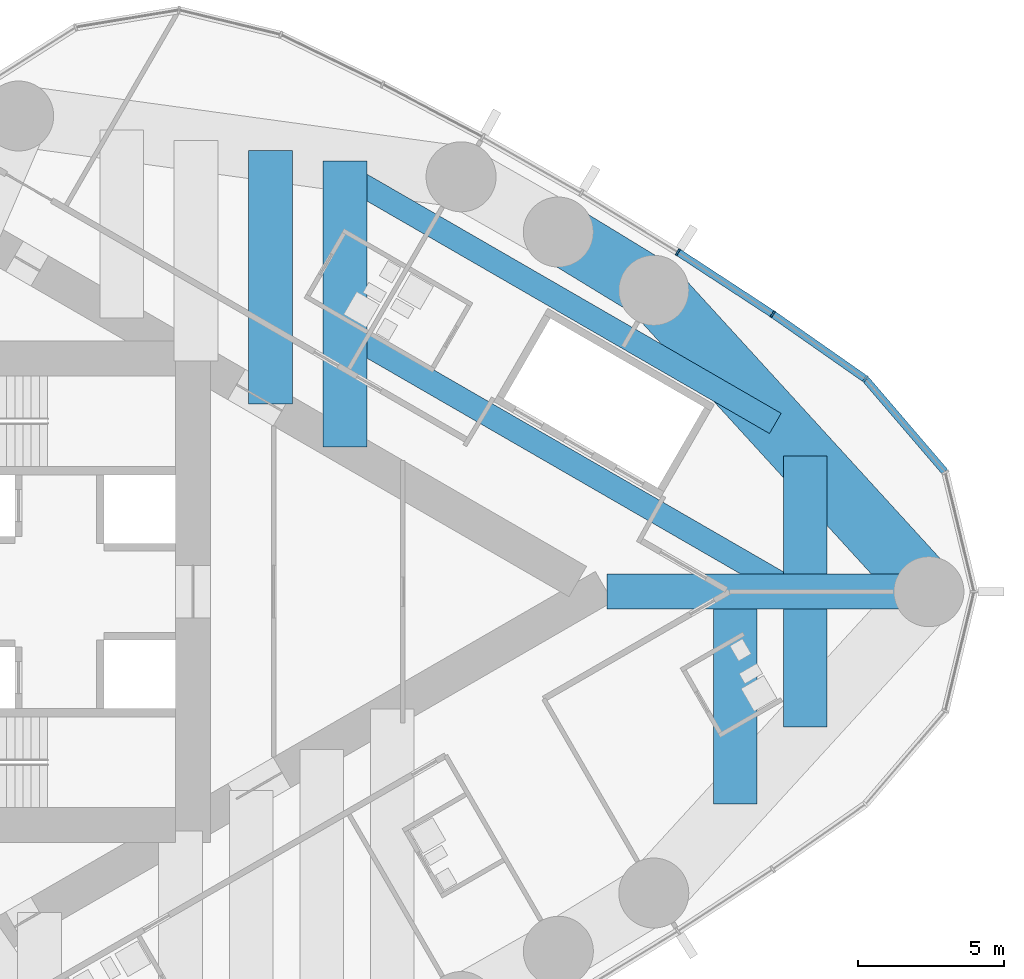
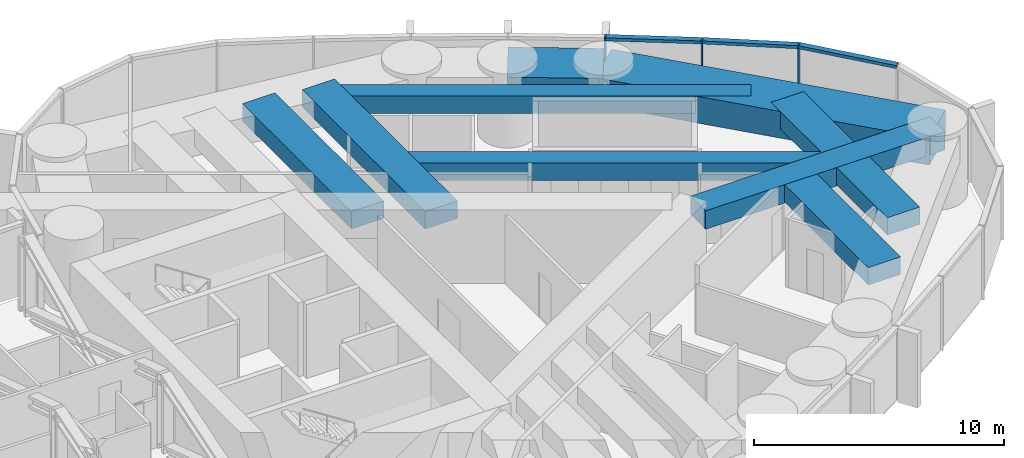
# One storey, part 9 of 22: 10 beams, 6 members, 1 element without a shape of its own.
"""IFC4 building model written with IfcOpenShell, lengths in metres."""

from ifc_helpers import new_model, si_unit, direction, frame, origin, origin_2d, place, context, subcontext, project, spatial, rectangle, hollow_rectangle, extrude, material, material_profile, profile_set, type_object, element, aggregate, save


model = new_model("IFC4")

# Units and contexts
model_context = context("Model", 3, precision=1e-05, world=origin(), true_north=direction((0.0, 1.0)))
body_context = subcontext(model_context, "Body", "Model", "MODEL_VIEW")
ifc_project = project(units=[si_unit("LENGTHUNIT", "METRE"), si_unit("AREAUNIT", "SQUARE_METRE"), si_unit("VOLUMEUNIT", "CUBIC_METRE"), si_unit("PLANEANGLEUNIT", "RADIAN"), si_unit("MASSUNIT", "GRAM", prefix="KILO")], contexts=[model_context])

# Site, building, storey
site_placement = place(None, origin())
site = spatial("IfcSite", under=ifc_project, at=site_placement, CompositionType="ELEMENT")
building_placement = place(site_placement, origin())
building = spatial("IfcBuilding", under=site, at=building_placement, Name="Lancet Gate Hotel", CompositionType="ELEMENT")
storey_placement = place(building_placement, frame((0.0, 0.0, 229.699951171875)))
storey = spatial("IfcBuildingStorey", under=building, at=storey_placement, Name="L61", CompositionType="ELEMENT", Elevation=229.699951171875)

# Curtain wall, members
ifc_material_1 = material(Name="Aluminium curtain wall", Category="aluminium")
curtain_wall_type = type_object("IfcCurtainWallType", Name="Tower unitised curtain wall", PredefinedType="USERDEFINED", material=ifc_material_1)
curtain_wall_placement = place(storey_placement, origin())
curtain_wall = element("IfcCurtainWall", 1, at=curtain_wall_placement, inside=storey, type_object=curtain_wall_type, Name="T2 L61 curtain wall 1", ObjectType="UNITISED CURTAIN WALL", PredefinedType="USERDEFINED")
ifc_material_2 = material(Name="Aluminium mullion", Category="aluminium")
ifc_material_profile_1 = material_profile(ifc_material_2, rectangle(XDim=0.06494140625, YDim=0.25, at=origin_2d()), Name="MULLION 65x250")
ifc_profile_set_1 = profile_set([ifc_material_profile_1], Name="Aluminium mullion")
member_type_1 = type_object("IfcMemberType", Name="Aluminium mullion 65x250", PredefinedType="MULLION", material=ifc_profile_set_1)
member_1_placement = place(storey_placement, frame((60.367431640625, 7.291259765625, 0.0), z_axis=(0.0, 0.0, 1.0), x_axis=(-0.737323173512, 0.675540182226, 0.0)))
member_1 = element("IfcMember", 2, at=member_1_placement, type_object=member_type_1, Name="T2 L61 curtain wall 1 mullion 16", PredefinedType="MULLION", context=body_context, shape_type="SweptSolid", body=[
    extrude(rectangle(XDim=0.06494140625, YDim=0.25, at=origin_2d()), origin(), (0.0, 0.0, 1.0), 3.60009765625),
])
member_2_placement = place(storey_placement, frame((57.185791015625, 9.518310546875, 0.0), z_axis=(0.0, 0.0, 1.0), x_axis=(-0.828154697184, 0.560499596371, 0.0)))
member_2 = element("IfcMember", 3, at=member_2_placement, type_object=member_type_1, Name="T2 L61 curtain wall 1 mullion 17", PredefinedType="MULLION", context=body_context, shape_type="SweptSolid", body=[
    extrude(rectangle(XDim=0.06494140625, YDim=0.25, at=origin_2d()), origin(), (0.0, 0.0, 1.0), 3.60009765625),
])
member_3_placement = place(storey_placement, frame((53.935791015625, 11.644287109375, 0.0), z_axis=(0.0, 0.0, 1.0), x_axis=(-0.845339753513, 0.534229071777, 0.0)))
member_3 = element("IfcMember", 4, at=member_3_placement, type_object=member_type_1, Name="T2 L61 curtain wall 1 mullion 18", PredefinedType="MULLION", context=body_context, shape_type="SweptSolid", body=[
    extrude(rectangle(XDim=0.06494140625, YDim=0.25, at=origin_2d()), origin(), (0.0, 0.0, 1.0), 3.60009765625),
])
ifc_material_3 = material(Name="Aluminium transom", Category="aluminium")
ifc_material_profile_2 = material_profile(ifc_material_3, rectangle(XDim=0.25, YDim=0.14990234375, at=origin_2d()), Name="TRANSOM 250x150")
ifc_profile_set_2 = profile_set([ifc_material_profile_2], Name="Aluminium transom")
member_type_2 = type_object("IfcMemberType", Name="Aluminium transom 250x150", PredefinedType="USERDEFINED", material=ifc_profile_set_2)
member_4_placement = place(storey_placement, frame((63.08544921875, 4.118408203125, 3.525146484375), z_axis=(-0.650592500186, 0.759427019997, 0.0), x_axis=(-0.759427019997, -0.650592500186, 0.0)))
member_4 = element("IfcMember", 5, at=member_4_placement, type_object=member_type_2, Name="T2 L61 curtain wall 1 transom 15", ObjectType="TRANSOM", PredefinedType="USERDEFINED", context=body_context, shape_type="SweptSolid", body=[
    extrude(rectangle(XDim=0.25, YDim=0.14990234375, at=origin_2d()), origin(), (0.0, 0.0, 1.0), 4.1455078125),
])
member_5_placement = place(storey_placement, frame((60.3408203125, 7.31005859375, 3.525146484375), z_axis=(-0.819255948852, 0.573428016642, 0.0), x_axis=(-0.573428016642, -0.819255948852, 0.0)))
member_5 = element("IfcMember", 6, at=member_5_placement, type_object=member_type_2, Name="T2 L61 curtain wall 1 transom 16", ObjectType="TRANSOM", PredefinedType="USERDEFINED", context=body_context, shape_type="SweptSolid", body=[
    extrude(rectangle(XDim=0.25, YDim=0.14990234375, at=origin_2d()), origin(), (0.0, 0.0, 1.0), 3.818603515625),
])
member_6_placement = place(storey_placement, frame((57.158447265625, 9.5361328125, 3.525146484375), z_axis=(-0.836858089593, 0.547419891749, 0.0), x_axis=(-0.547419891749, -0.836858089593, 0.0)))
member_6 = element("IfcMember", 7, at=member_6_placement, type_object=member_type_2, Name="T2 L61 curtain wall 1 transom 17", ObjectType="TRANSOM", PredefinedType="USERDEFINED", context=body_context, shape_type="SweptSolid", body=[
    extrude(rectangle(XDim=0.25, YDim=0.14990234375, at=origin_2d()), origin(), (0.0, 0.0, 1.0), 3.818603515625),
])
aggregate(curtain_wall, [member_1, member_2, member_3, member_4, member_5, member_6])

# Beams
ifc_material_4 = material(Name="Concrete C50/60", Category="concrete")
ifc_material_profile_3 = material_profile(ifc_material_4, rectangle(XDim=2.10009765625, YDim=1.300048828125, at=origin_2d()), Name="RC 2100x1300")
ifc_profile_set_3 = profile_set([ifc_material_profile_3], Name="Concrete C50/60")
beam_type_1 = type_object("IfcBeamType", Name="Edge beam RC 2100x1300", PredefinedType="SPANDREL", material=ifc_profile_set_3)
beam_1_placement = place(storey_placement, frame((62.54150390625, 0.0, 2.699951171875), z_axis=(-0.674209372947, 0.738540263919, 0.0), x_axis=(-0.738540263919, -0.674209372947, 0.0)))
element("IfcBeam", 8, at=beam_1_placement, inside=storey, type_object=beam_type_1, Name="T2 edge beam EB1 L61", PredefinedType="SPANDREL", context=body_context, shape_type="SweptSolid", body=[
    extrude(rectangle(XDim=2.10009765625, YDim=1.300048828125, at=origin_2d()), origin(), (0.0, 0.0, 1.0), 13.992431640625),
])
beam_2_placement = place(storey_placement, frame((53.107666015625, 10.333984375, 2.699951171875), z_axis=(-0.853604257265, 0.520922040212, 0.0), x_axis=(-0.520922040212, -0.853604257265, 0.0)))
element("IfcBeam", 9, at=beam_2_placement, inside=storey, type_object=beam_type_1, Name="T2 edge beam EB1 L61", PredefinedType="SPANDREL", context=body_context, shape_type="SweptSolid", body=[
    extrude(rectangle(XDim=2.10009765625, YDim=1.300048828125, at=origin_2d()), origin(), (0.0, 0.0, 1.0), 3.835205078125),
])
ifc_material_5 = material(Name="Concrete C50/60", Category="concrete")
ifc_material_profile_4 = material_profile(ifc_material_5, rectangle(XDim=1.5, YDim=0.85009765625, at=origin_2d()), Name="RC 1500x850")
ifc_profile_set_4 = profile_set([ifc_material_profile_4], Name="Concrete C50/60")
beam_type_2 = type_object("IfcBeamType", Name="Floor beam RC 1500x850", PredefinedType="BEAM", material=ifc_profile_set_4)
beam_3_placement = place(storey_placement, frame((39.9658203125, 6.429443359375, 2.925048828125), z_axis=(0.0, 1.0, 0.0), x_axis=(-1.0, 0.0, 0.0)))
element("IfcBeam", 10, at=beam_3_placement, inside=storey, type_object=beam_type_2, Name="T2 floor beam F06N L61", PredefinedType="BEAM", context=body_context, shape_type="SweptSolid", body=[
    extrude(rectangle(XDim=1.5, YDim=0.85009765625, at=origin_2d()), origin(), (0.0, 0.0, 1.0), 8.694091796875),
])
beam_4_placement = place(storey_placement, frame((42.51904296875, 4.95556640625, 2.925048828125), z_axis=(0.0, 1.0, 0.0), x_axis=(-1.0, 0.0, 0.0)))
element("IfcBeam", 11, at=beam_4_placement, inside=storey, type_object=beam_type_2, Name="T2 floor beam F08N L61", PredefinedType="BEAM", context=body_context, shape_type="SweptSolid", body=[
    extrude(rectangle(XDim=1.5, YDim=0.85009765625, at=origin_2d()), origin(), (0.0, 0.0, 1.0), 9.817138671875),
])
beam_5_placement = place(storey_placement, frame((55.90234375, -7.272705078125, 2.925048828125), z_axis=(0.0, 1.0, 0.0), x_axis=(-1.0, 0.0, 0.0)))
element("IfcBeam", 12, at=beam_5_placement, inside=storey, type_object=beam_type_2, Name="T2 floor beam F10S L61", PredefinedType="BEAM", context=body_context, shape_type="SweptSolid", body=[
    extrude(rectangle(XDim=1.5, YDim=0.85009765625, at=origin_2d()), origin(), (0.0, 0.0, 1.0), 6.672607421875),
])
for number, where, z_axis, x_axis, name in (
    (13, (58.30224609375, -4.643798828125, 2.925048828125), (0.0, 1.0, 0.0), (-1.0, 0.0, 0.0), "T2 floor beam F12S L61"),
    (14, (58.30224609375, 0.60009765625, 2.925048828125), (0.0, 1.0, 0.0), (-1.0, 0.0, 0.0), "T2 floor beam F13N L61"),
):
    element("IfcBeam", number, at=place(storey_placement, frame(where, z_axis=z_axis, x_axis=x_axis)), inside=storey, type_object=beam_type_2, Name=name, PredefinedType="BEAM", context=body_context, shape_type="SweptSolid", body=[
        extrude(rectangle(XDim=1.5, YDim=0.85009765625, at=origin_2d()), origin(), (0.0, 0.0, 1.0), 4.043701171875),
    ])
ifc_material_6 = material(Name="Concrete C50/60", Category="concrete")
ifc_material_profile_5 = material_profile(ifc_material_6, rectangle(XDim=1.199951171875, YDim=0.89990234375, at=origin_2d()), Name="RC 1200x900")
ifc_profile_set_5 = profile_set([ifc_material_profile_5], Name="Concrete C50/60")
beam_type_3 = type_object("IfcBeamType", Name="Radial floor beam RC 1200x900", PredefinedType="BEAM", material=ifc_profile_set_5)
beam_6_placement = place(storey_placement, frame((62.54150390625, 0.0, 2.900146484375), z_axis=(-1.0, 0.0, 0.0), x_axis=(0.0, -1.0, 0.0)))
element("IfcBeam", 15, at=beam_6_placement, inside=storey, type_object=beam_type_3, Name="T2 radial beam CA L61", PredefinedType="BEAM", context=body_context, shape_type="SweptSolid", body=[
    extrude(rectangle(XDim=1.199951171875, YDim=0.89990234375, at=origin_2d()), origin(), (0.0, 0.0, 1.0), 11.039306640625),
])
ifc_material_7 = material(Name="Steel S460QL", Category="steel")
ifc_material_profile_6 = material_profile(ifc_material_7, hollow_rectangle(XDim=0.800048828125, YDim=0.85009765625, WallThickness=0.080078125, at=origin_2d()), Name="BOX 850x800x80")
ifc_profile_set_6 = profile_set([ifc_material_profile_6], Name="Steel S460QL")
beam_type_4 = type_object("IfcBeamType", Name="Trimmer beam BOX 850x800x80", PredefinedType="BEAM", material=ifc_profile_set_6)
beam_7_placement = place(storey_placement, frame((42.51904296875, 14.289794921875, 2.925048828125), z_axis=(0.865991109766, -0.500059394279, 0.0), x_axis=(0.500059394279, 0.865991109766, 0.0)))
element("IfcBeam", 16, at=beam_7_placement, inside=storey, type_object=beam_type_4, Name="T2 trimmer beam TR01N L61", PredefinedType="BEAM", context=body_context, shape_type="SweptSolid", body=[
    extrude(hollow_rectangle(XDim=0.800048828125, YDim=0.85009765625, WallThickness=0.080078125, at=origin_2d()), origin(), (0.0, 0.0, 1.0), 17.0390625),
])
beam_8_placement = place(storey_placement, frame((42.51904296875, 8.90185546875, 2.925048828125), z_axis=(0.865994419471, -0.500053662566, 0.0), x_axis=(0.500053662566, 0.865994419471, 0.0)))
element("IfcBeam", 17, at=beam_8_placement, inside=storey, type_object=beam_type_4, Name="T2 trimmer beam TR02N L61", PredefinedType="BEAM", context=body_context, shape_type="SweptSolid", body=[
    extrude(hollow_rectangle(XDim=0.800048828125, YDim=0.85009765625, WallThickness=0.080078125, at=origin_2d()), origin(), (0.0, 0.0, 1.0), 17.8017578125),
])

save(model, "model.ifc")
